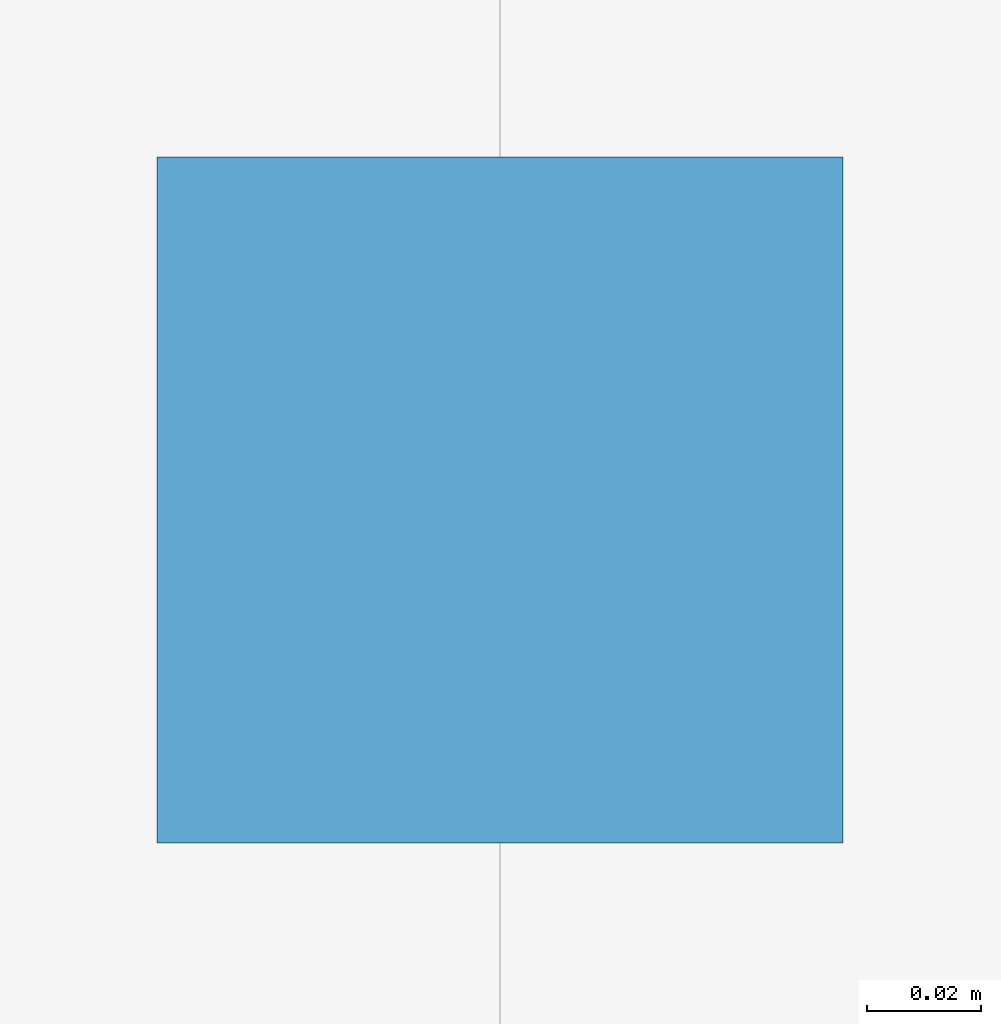
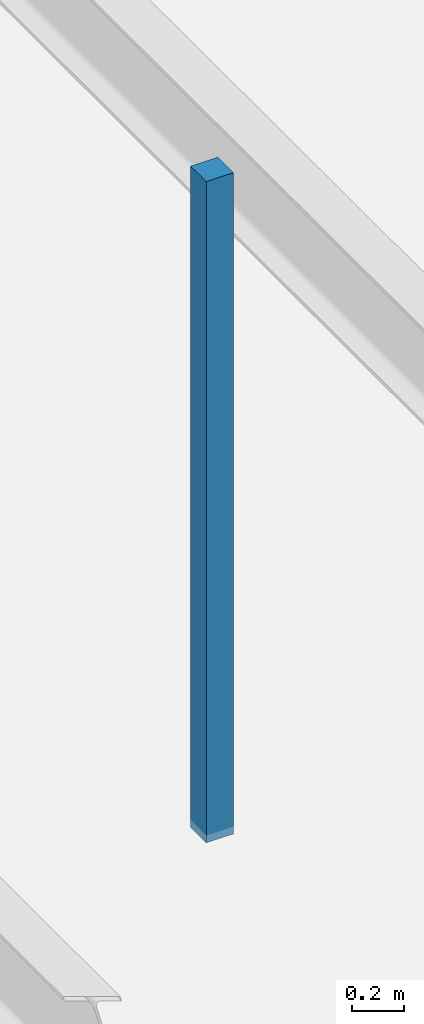
# One storey, part 42 of 67: 1 discrete accessory.
"""IFC4 building model written with IfcOpenShell, lengths in metres."""

from ifc_helpers import new_model, si_unit, direction, frame, origin, origin_2d, place, context, subcontext, project, spatial, rectangle, extrude, material, type_object, element, save


model = new_model("IFC4")

# Units and contexts
model_context = context("Model", 3, precision=1e-05, world=origin(), true_north=direction((0.0, 1.0)))
body_context = subcontext(model_context, "Body", "Model", "MODEL_VIEW")
ifc_project = project(units=[si_unit("LENGTHUNIT", "METRE"), si_unit("AREAUNIT", "SQUARE_METRE"), si_unit("VOLUMEUNIT", "CUBIC_METRE"), si_unit("PLANEANGLEUNIT", "RADIAN"), si_unit("MASSUNIT", "GRAM", prefix="KILO")], contexts=[model_context])

# Site, building, storey
site_placement = place(None, origin())
site = spatial("IfcSite", under=ifc_project, at=site_placement, CompositionType="ELEMENT")
building_placement = place(site_placement, origin())
building = spatial("IfcBuilding", under=site, at=building_placement, Name="Zlatogorsky Bluff Art Gallery", CompositionType="ELEMENT")
storey_placement = place(building_placement, frame((0.0, 0.0, -5.39990234375)))
storey = spatial("IfcBuildingStorey", under=building, at=storey_placement, Name="B1", CompositionType="ELEMENT", Elevation=-5.39990234375)

# Discrete accessory
ifc_material = material(Name="Steel S355", Category="steel")
discrete_accessory_type = type_object("IfcDiscreteAccessoryType", Name="Stainless Facade Fin Bracket BRK-01", PredefinedType="BRACKET", material=ifc_material)
discrete_accessory_placement = place(storey_placement, frame((12.0, 44.330078125, 4.05517578125), z_axis=(0.0, 0.0, 1.0), x_axis=(1.0, 0.0, 0.0)))
element("IfcDiscreteAccessory", 1, at=discrete_accessory_placement, inside=storey, type_object=discrete_accessory_type, Name="Acoustic ceiling suspension hanger B1-A1-12", PredefinedType="BRACKET", context=body_context, shape_type="SweptSolid", body=[
    extrude(rectangle(XDim=0.1201171875, YDim=0.1201171875, at=origin_2d()), origin(), (0.0, 0.0, 1.0), 3.094482421875),
])

save(model, "model.ifc")
